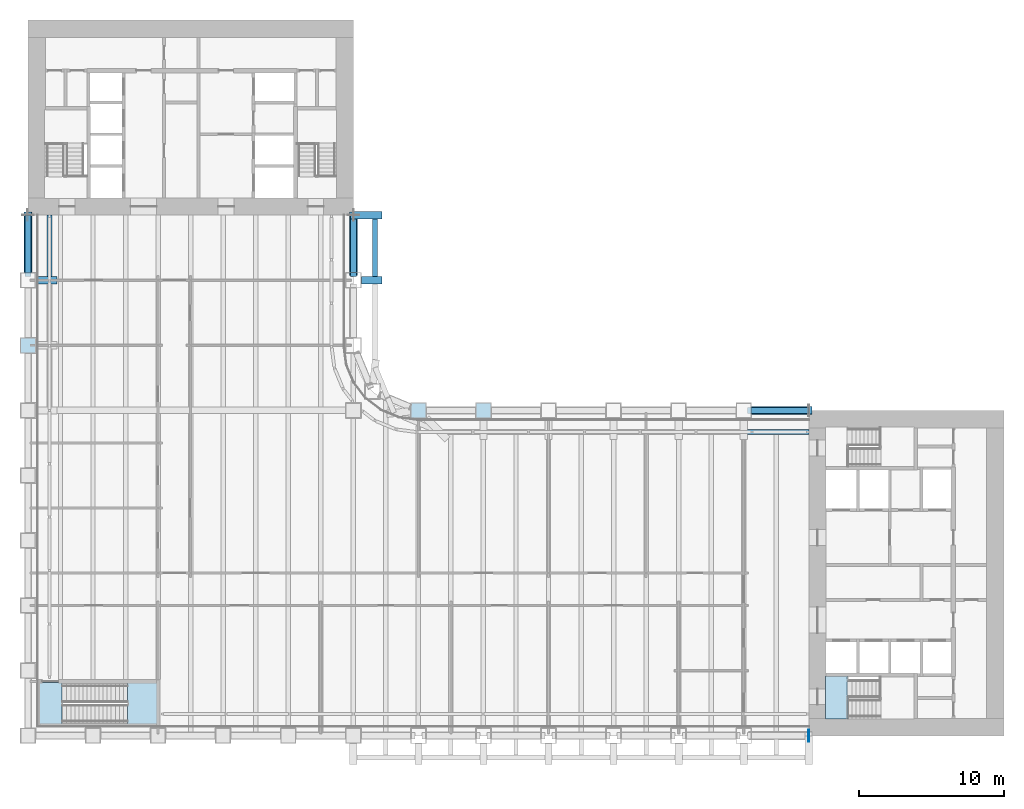
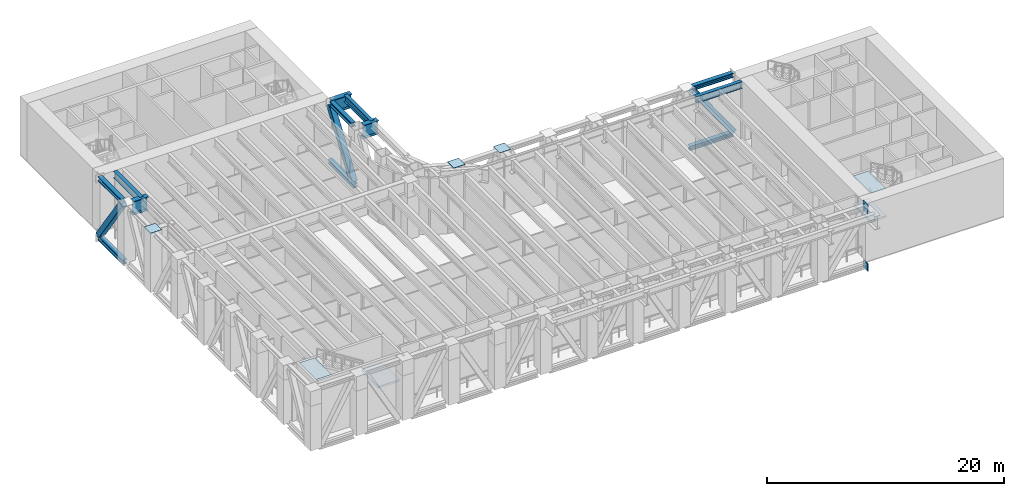
# One storey, part 3 of 19: 9 members, 7 plates, 6 beams, 4 slabs, 2 elements without a shape of their own.
"""IFC4 building model written with IfcOpenShell, lengths in metres."""

from ifc_helpers import new_model, si_unit, direction, frame, origin, origin_2d, place, context, subcontext, project, spatial, polyline, rectangle, hollow_rectangle, i_section, outline, extrude, material, layer, layer_set, material_profile, profile_set, type_object, element, aggregate, save


model = new_model("IFC4")

# Units and contexts
model_context = context("Model", 3, precision=1e-05, world=origin(), true_north=direction((0.0, 1.0)))
body_context = subcontext(model_context, "Body", "Model", "MODEL_VIEW")
ifc_project = project(units=[si_unit("LENGTHUNIT", "METRE"), si_unit("AREAUNIT", "SQUARE_METRE"), si_unit("VOLUMEUNIT", "CUBIC_METRE"), si_unit("PLANEANGLEUNIT", "RADIAN"), si_unit("MASSUNIT", "GRAM", prefix="KILO")], contexts=[model_context])

# Site, building, storey
site_placement = place(None, origin())
site = spatial("IfcSite", under=ifc_project, at=site_placement, CompositionType="ELEMENT")
building_placement = place(site_placement, origin())
building = spatial("IfcBuilding", under=site, at=building_placement, Name="Sennacour Bend Tower", CompositionType="ELEMENT")
storey_placement = place(building_placement, frame((0.0, 0.0, 77.0)))
storey = spatial("IfcBuildingStorey", under=building, at=storey_placement, Name="L17", CompositionType="ELEMENT", Elevation=77.0)

# Members
ifc_material_1 = material(Name="Steel ASTM A992 Grade 50", Category="steel")
ifc_material_profile_1 = material_profile(ifc_material_1, i_section(OverallWidth=0.4189453125, OverallDepth=0.455078125, WebThickness=0.042236328125, FlangeThickness=0.067626953125, FilletRadius=0.01513671875, at=origin_2d()), Name="Steel ASTM A992 Grade 50", Category="steel")
ifc_profile_set_1 = profile_set([ifc_material_profile_1], Name="Steel ASTM A992 Grade 50")
member_type_1 = type_object("IfcMemberType", Name="Belt truss chord W360X551", PredefinedType="CHORD", material=ifc_profile_set_1)
for number, where, z_axis, x_axis, name in (
    (1, (0.0, 31.75, -0.4775390625), (0.0, 1.0, 0.0), (-1.0, 0.0, 0.0), "Belt truss chord BC L17-003"),
    (2, (22.5, 36.0, -0.4775390625), (0.0, -1.0, 0.0), (1.0, 0.0, 0.0), "Belt truss chord BC L17-004"),
    (3, (49.75, 22.5, -0.4775390625), (1.0, 0.0, 0.0), (0.0, 1.0, 0.0), "Belt truss chord BC L17-013"),
):
    element("IfcMember", number, at=place(storey_placement, frame(where, z_axis=z_axis, x_axis=x_axis)), inside=storey, type_object=member_type_1, Name=name, PredefinedType="CHORD", context=body_context, shape_type="SweptSolid", body=[
        extrude(i_section(OverallWidth=0.4189453125, OverallDepth=0.455078125, WebThickness=0.042236328125, FlangeThickness=0.067626953125, FilletRadius=0.01513671875, at=origin_2d()), origin(), (0.0, 0.0, 1.0), 4.25),
    ])
member_1_placement = place(storey_placement, frame((0.0, 32.050048828125, 5.62255859375), z_axis=(0.0, 1.0, 0.0), x_axis=(-1.0, 0.0, 0.0)))
element("IfcMember", 4, at=member_1_placement, inside=storey, type_object=member_type_1, Name="Belt truss chord BC L17-003", PredefinedType="CHORD", context=body_context, shape_type="SweptSolid", body=[
    extrude(i_section(OverallWidth=0.4189453125, OverallDepth=0.455078125, WebThickness=0.042236328125, FlangeThickness=0.067626953125, FilletRadius=0.01513671875, at=origin_2d()), origin(), (0.0, 0.0, 1.0), 3.949951171875),
])
member_2_placement = place(storey_placement, frame((22.5, 35.75, 5.62255859375), z_axis=(0.0, -1.0, 0.0), x_axis=(1.0, 0.0, 0.0)))
element("IfcMember", 5, at=member_2_placement, inside=storey, type_object=member_type_1, Name="Belt truss chord BC L17-004", PredefinedType="CHORD", context=body_context, shape_type="SweptSolid", body=[
    extrude(i_section(OverallWidth=0.4189453125, OverallDepth=0.455078125, WebThickness=0.042236328125, FlangeThickness=0.067626953125, FilletRadius=0.01513671875, at=origin_2d()), origin(), (0.0, 0.0, 1.0), 3.699951171875),
])
member_3_placement = place(storey_placement, frame((50.050048828125, 22.5, 5.62255859375), z_axis=(1.0, 0.0, 0.0), x_axis=(0.0, 1.0, 0.0)))
element("IfcMember", 6, at=member_3_placement, inside=storey, type_object=member_type_1, Name="Belt truss chord BC L17-013", PredefinedType="CHORD", context=body_context, shape_type="SweptSolid", body=[
    extrude(i_section(OverallWidth=0.4189453125, OverallDepth=0.455078125, WebThickness=0.042236328125, FlangeThickness=0.067626953125, FilletRadius=0.01513671875, at=origin_2d()), origin(), (0.0, 0.0, 1.0), 3.949951171875),
])
ifc_material_2 = material(Name="Steel ASTM A500 Grade C", Category="steel")
ifc_material_profile_2 = material_profile(ifc_material_2, hollow_rectangle(XDim=0.558837890625, YDim=0.558837890625, WallThickness=0.01904296875, InnerFilletRadius=0.01904296875, OuterFilletRadius=0.0380859375, at=origin_2d()), Name="Steel ASTM A500 Grade C", Category="steel")
ifc_profile_set_2 = profile_set([ifc_material_profile_2], Name="Steel ASTM A500 Grade C")
member_type_2 = type_object("IfcMemberType", Name="Outrigger truss diagonal 559", PredefinedType="BRACE", material=ifc_profile_set_2)
for number, where, z_axis, x_axis, name in (
    (7, (50.050048828125, 22.5, 5.39501953125), (0.573310128511, 0.0, -0.819338450548), (0.0, 1.0, 0.0), "Outrigger truss diagonal OD L17-001"),
    (8, (0.0, 32.050048828125, 5.39501953125), (0.0, 0.573310128511, -0.819338450548), (-1.0, 0.0, 0.0), "Outrigger truss diagonal OD L17-003"),
    (9, (22.5, 32.050048828125, -0.25), (0.0, 0.573310128511, 0.819338450548), (-1.0, 0.0, 0.0), "Outrigger truss diagonal OD L17-004"),
):
    element("IfcMember", number, at=place(storey_placement, frame(where, z_axis=z_axis, x_axis=x_axis)), inside=storey, type_object=member_type_2, Name=name, PredefinedType="BRACE", context=body_context, shape_type="SweptSolid", body=[
        extrude(hollow_rectangle(XDim=0.558837890625, YDim=0.558837890625, WallThickness=0.01904296875, InnerFilletRadius=0.01904296875, OuterFilletRadius=0.0380859375, at=origin_2d()), origin(), (0.0, 0.0, 1.0), 6.8896484375),
    ])

# Beams
ifc_material_profile_3 = material_profile(ifc_material_1, i_section(OverallWidth=0.35595703125, OverallDepth=0.696044921875, WebThickness=0.015380859375, FlangeThickness=0.02490234375, FilletRadius=0.02001953125, at=origin_2d()), Name="Steel ASTM A992 Grade 50", Category="steel")
ifc_profile_set_3 = profile_set([ifc_material_profile_3], Name="Steel ASTM A992 Grade 50")
beam_type_1 = type_object("IfcBeamType", Name="Spandrel beam W690X217", PredefinedType="SPANDREL", material=ifc_profile_set_3)
beam_1_placement = place(storey_placement, frame((1.5, 31.514892578125, 5.501953125), z_axis=(0.0, 1.0, 0.0), x_axis=(-1.0, 0.0, 0.0)))
element("IfcBeam", 10, at=beam_1_placement, inside=storey, type_object=beam_type_1, Name="Spandrel beam SP3 L18-003", PredefinedType="SPANDREL", context=body_context, shape_type="SweptSolid", body=[
    extrude(i_section(OverallWidth=0.35595703125, OverallDepth=0.696044921875, WebThickness=0.015380859375, FlangeThickness=0.02490234375, FilletRadius=0.02001953125, at=origin_2d()), origin(), (0.0, 0.0, 1.0), 4.485107421875),
])
beam_2_placement = place(storey_placement, frame((24.0, 35.985107421875, 5.501953125), z_axis=(0.0, -1.0, 0.0), x_axis=(1.0, 0.0, 0.0)))
element("IfcBeam", 11, at=beam_2_placement, inside=storey, type_object=beam_type_1, Name="Spandrel beam SP3 L18-004", PredefinedType="SPANDREL", context=body_context, shape_type="SweptSolid", body=[
    extrude(i_section(OverallWidth=0.35595703125, OverallDepth=0.696044921875, WebThickness=0.015380859375, FlangeThickness=0.02490234375, FilletRadius=0.02001953125, at=origin_2d()), origin(), (0.0, 0.0, 1.0), 4.47021484375),
])
beam_3_placement = place(storey_placement, frame((49.514892578125, 21.0, 5.501953125), z_axis=(1.0, 0.0, 0.0), x_axis=(0.0, 1.0, 0.0)))
element("IfcBeam", 12, at=beam_3_placement, inside=storey, type_object=beam_type_1, Name="Spandrel beam SP3 L18-014", PredefinedType="SPANDREL", context=body_context, shape_type="SweptSolid", body=[
    extrude(i_section(OverallWidth=0.35595703125, OverallDepth=0.696044921875, WebThickness=0.015380859375, FlangeThickness=0.02490234375, FilletRadius=0.02001953125, at=origin_2d()), origin(), (0.0, 0.0, 1.0), 4.485107421875),
])
ifc_material_3 = material(Name="Steel ASTM A572 Grade 50", Category="steel")
ifc_material_profile_4 = material_profile(ifc_material_3, i_section(OverallWidth=0.5, OverallDepth=1.39990234375, WebThickness=0.030029296875, FlangeThickness=0.054931640625, at=origin_2d()), Name="Steel ASTM A572 Grade 50", Category="steel")
ifc_profile_set_4 = profile_set([ifc_material_profile_4], Name="Steel ASTM A572 Grade 50")
beam_type_2 = type_object("IfcBeamType", Name="Transfer stub 1400", PredefinedType="USERDEFINED", material=ifc_profile_set_4)
for number, where, z_axis, x_axis, name in (
    (13, (0.550048828125, 31.5, 5.14990234375), (1.0, 0.0, 0.0), (0.0, 1.0, 0.0), "Transfer beam TS L18-003"),
    (14, (23.050048828125, 31.5, 5.14990234375), (1.0, 0.0, 0.0), (0.0, 1.0, 0.0), "Transfer beam TS L18-006"),
):
    element("IfcBeam", number, at=place(storey_placement, frame(where, z_axis=z_axis, x_axis=x_axis)), inside=storey, type_object=beam_type_2, Name=name, ObjectType="TRANSFER BEAM", PredefinedType="USERDEFINED", context=body_context, shape_type="SweptSolid", body=[
        extrude(i_section(OverallWidth=0.5, OverallDepth=1.39990234375, WebThickness=0.030029296875, FlangeThickness=0.054931640625, at=origin_2d()), origin(), (0.0, 0.0, 1.0), 1.449951171875),
    ])
beam_4_placement = place(storey_placement, frame((22.5, 36.0, 5.14990234375), z_axis=(1.0, 0.0, 0.0), x_axis=(0.0, 1.0, 0.0)))
element("IfcBeam", 15, at=beam_4_placement, inside=storey, type_object=beam_type_2, Name="Transfer beam TS L18-007", ObjectType="TRANSFER BEAM", PredefinedType="USERDEFINED", context=body_context, shape_type="SweptSolid", body=[
    extrude(i_section(OverallWidth=0.5, OverallDepth=1.39990234375, WebThickness=0.030029296875, FlangeThickness=0.054931640625, at=origin_2d()), origin(), (0.0, 0.0, 1.0), 2.0),
])

# Plates
ifc_layer_1 = layer(ifc_material_3, 0.0400390625, Name="Steel ASTM A572 Grade 50", Category="steel")
ifc_layer_set_1 = layer_set([ifc_layer_1], Name="Steel ASTM A572 Grade 50")
plate_type_1 = type_object("IfcPlateType", Name="Cast-in plate 40", PredefinedType="USERDEFINED", material=ifc_layer_set_1)
for number, where, z_axis, x_axis, name in (
    (16, (54.0, 0.0, -0.87744140625), (0.0, 0.0, 1.0), (1.0, 0.0, 0.0), "Cast-in plate CP 40"),
    (17, (53.97998046875, 0.0, -0.87744140625), (0.0, 0.0, 1.0), (1.0, 0.0, 0.0), "Cast-in plate CP BC 40"),
    (18, (54.0, 0.0, 5.22265625), (0.0, 0.0, 1.0), (1.0, 0.0, 0.0), "Cast-in plate CP 40"),
    (19, (53.97998046875, 0.0, 4.9951171875), (0.0, 0.0, 1.0), (1.0, 0.0, 0.0), "Cast-in plate CP OTD 40"),
):
    element("IfcPlate", number, at=place(storey_placement, frame(where, z_axis=z_axis, x_axis=x_axis)), inside=storey, type_object=plate_type_1, Name=name, ObjectType="CAST-IN PLATE", PredefinedType="USERDEFINED", context=body_context, shape_type="SweptSolid", body=[
        extrude(rectangle(XDim=0.0400390625, YDim=0.800048828125, at=origin_2d()), origin(), (0.0, 0.0, 1.0), 0.800048828125),
    ])
ifc_layer_2 = layer(ifc_material_3, 0.02490234375, Name="Steel ASTM A572 Grade 50", Category="steel")
ifc_layer_set_2 = layer_set([ifc_layer_2], Name="Steel ASTM A572 Grade 50")
plate_type_2 = type_object("IfcPlateType", Name="Column cap plate 1100", PredefinedType="USERDEFINED", material=ifc_layer_set_2)
for number, where, z_axis, x_axis, name in (
    (20, (0.0, 27.0, 5.85009765625), (0.0, 0.0, 1.0), (1.0, 0.0, 0.0), "Column cap plate L17-007"),
    (21, (27.0, 22.5, 5.85009765625), (0.0, 0.0, 1.0), (1.0, 0.0, 0.0), "Column cap plate L17-019"),
    (22, (31.5, 22.5, 5.85009765625), (0.0, 0.0, 1.0), (1.0, 0.0, 0.0), "Column cap plate L17-021"),
):
    element("IfcPlate", number, at=place(storey_placement, frame(where, z_axis=z_axis, x_axis=x_axis)), inside=storey, type_object=plate_type_2, Name=name, ObjectType="END PLATE", PredefinedType="USERDEFINED", context=body_context, shape_type="SweptSolid", body=[
        extrude(rectangle(XDim=1.10009765625, YDim=1.10009765625, at=origin_2d()), origin(), (0.0, 0.0, 1.0), 0.02490234375),
    ])

# Slabs
ifc_material_4 = material(Name="Concrete C40/50", Category="concrete")
ifc_layer_3 = layer(ifc_material_4, 0.034912109375, Name="Concrete C40/50", Category="concrete")
ifc_layer_set_3 = layer_set([ifc_layer_3], Name="Concrete C40/50")
slab_type_1 = type_object("IfcSlabType", Name="Stair arrival nib 35", PredefinedType="FLOOR", material=ifc_layer_set_3)
slab_1_placement = place(storey_placement, frame((0.0, 0.0, 5.815185546875)))
element("IfcSlab", 23, at=slab_1_placement, inside=storey, type_object=slab_type_1, Name="L17 SA1 stair arrival nib", PredefinedType="FLOOR", context=body_context, shape_type="SweptSolid", body=[
    extrude(outline(polyline([(56.64208984375, 4.125), (55.14990234375, 4.125), (55.14990234375, 1.14990234375), (56.64208984375, 1.14990234375), (56.64208984375, 4.125)])), origin(), (0.0, 0.0, 1.0), 0.034912109375),
])
slab_2_placement = place(storey_placement, frame((0.0, 0.0, 5.815185546875)))
element("IfcSlab", 24, at=slab_2_placement, inside=storey, type_object=slab_type_1, Name="L17 SK1 stair arrival nib", PredefinedType="FLOOR", context=body_context, shape_type="SweptSolid", body=[
    extrude(outline(polyline([(2.342041015625, 3.675048828125), (0.800048828125, 3.675048828125), (0.800048828125, 0.800048828125), (2.342041015625, 0.800048828125), (2.342041015625, 3.675048828125)])), origin(), (0.0, 0.0, 1.0), 0.034912109375),
])

# Stair, slab
stair_type = type_object("IfcStairType", Name="ST-DOGLEG", PredefinedType="HALF_TURN_STAIR", material=ifc_material_4)
stair_1_placement = place(storey_placement, origin())
stair_1 = element("IfcStair", 25, at=stair_1_placement, inside=storey, type_object=stair_type, Name="L17 Exit stair A1", PredefinedType="HALF_TURN_STAIR")
ifc_layer_4 = layer(ifc_material_4, 0.199951171875, Name="Concrete C40/50", Category="concrete")
ifc_layer_set_4 = layer_set([ifc_layer_4], Name="Concrete C40/50")
slab_type_2 = type_object("IfcSlabType", Name="Stair landing 200", PredefinedType="LANDING", material=ifc_layer_set_4)
slab_3_placement = place(storey_placement, frame((0.0, 0.0, 2.800048828125)))
slab_3 = element("IfcSlab", 26, at=slab_3_placement, type_object=slab_type_2, Name="SA1 landing 2", PredefinedType="LANDING", context=body_context, shape_type="SweptSolid", body=[
    extrude(outline(polyline([(55.14990234375, 1.14990234375), (56.699951171875, 1.14990234375), (56.699951171875, 4.125), (55.14990234375, 4.125), (55.14990234375, 1.14990234375)])), origin(), (0.0, 0.0, 1.0), 0.199951171875),
])
aggregate(stair_1, [slab_3])

stair_2_placement = place(storey_placement, origin())
stair_2 = element("IfcStair", 27, at=stair_2_placement, inside=storey, type_object=stair_type, Name="L17 Exit stair K1", PredefinedType="HALF_TURN_STAIR")
slab_4_placement = place(storey_placement, frame((0.0, 0.0, 2.800048828125)))
slab_4 = element("IfcSlab", 28, at=slab_4_placement, type_object=slab_type_2, Name="SK1 landing 1", PredefinedType="LANDING", context=body_context, shape_type="SweptSolid", body=[
    extrude(outline(polyline([(6.8798828125, 0.800048828125), (8.925048828125, 0.800048828125), (8.925048828125, 3.675048828125), (6.8798828125, 3.675048828125), (6.8798828125, 0.800048828125)])), origin(), (0.0, 0.0, 1.0), 0.199951171875),
])
aggregate(stair_2, [slab_4])

save(model, "model.ifc")
